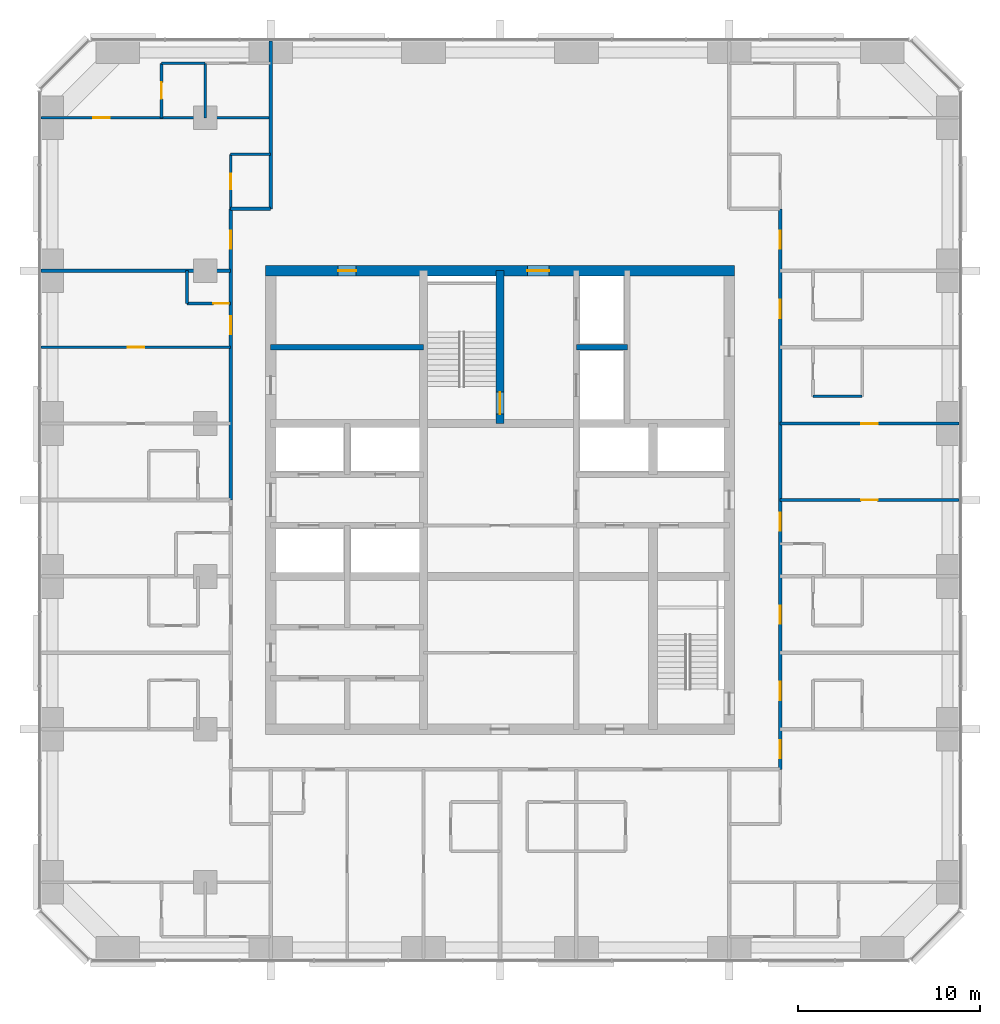
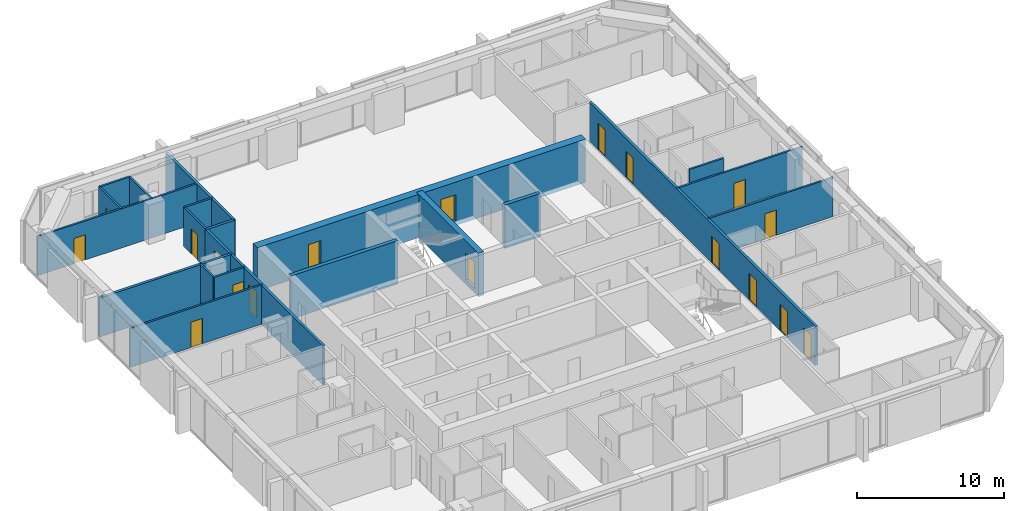
# One storey, part 11 of 13: 21 walls, 18 doors, 18 openings.
"""IFC4 building model written with IfcOpenShell, lengths in metres."""

from ifc_helpers import new_model, si_unit, direction, frame, frame_2d, origin, place, context, subcontext, project, spatial, rectangle, extrude, material, layer, layer_set, type_object, element, fill, save


model = new_model("IFC4")

# Units and contexts
model_context = context("Model", 3, precision=1e-05, world=origin(), true_north=direction((0.0, 1.0)))
body_context = subcontext(model_context, "Body", "Model", "MODEL_VIEW")
ifc_project = project(units=[si_unit("LENGTHUNIT", "METRE"), si_unit("AREAUNIT", "SQUARE_METRE"), si_unit("VOLUMEUNIT", "CUBIC_METRE"), si_unit("PLANEANGLEUNIT", "RADIAN"), si_unit("MASSUNIT", "GRAM", prefix="KILO")], contexts=[model_context])

# Site, building, storey
site_placement = place(None, origin())
site = spatial("IfcSite", under=ifc_project, at=site_placement, CompositionType="ELEMENT")
building_placement = place(site_placement, origin())
building = spatial("IfcBuilding", under=site, at=building_placement, Name="Dunama Terrace Hotel", CompositionType="ELEMENT")
storey_placement = place(building_placement, frame((0.0, 0.0, 209.39990234375)))
storey = spatial("IfcBuildingStorey", under=building, at=storey_placement, Name="L54", CompositionType="ELEMENT", Elevation=209.39990234375)

# Wall
ifc_material_1 = material(Name="Gypsum board partition", Category="masonry")
ifc_layer_1 = layer(ifc_material_1, 0.14990234375)
ifc_layer_set_1 = layer_set([ifc_layer_1], Name="Bathroom partition 150")
wall_type_1 = type_object("IfcWallType", Name="Bathroom partition 150", PredefinedType="PARTITIONING", material=ifc_layer_set_1)
wall_1_placement = place(storey_placement, frame((12.199951171875, 40.199951171875, 0.0), z_axis=(0.0, 0.0, 1.0), x_axis=(0.0, 1.0, 0.0)))
element("IfcWall", 1, at=wall_1_placement, inside=storey, type_object=wall_type_1, Name="Bathroom partition 150 L54", PredefinedType="PARTITIONING", context=body_context, shape_type="SweptSolid", body=[
    extrude(rectangle(XDim=1.800048828125, YDim=0.14990234375, at=frame_2d((0.89990234375, 0.0))), origin(), (0.0, 0.0, 1.0), 3.25),
])

# Wall, opening, door
wall_2_placement = place(storey_placement, frame((14.60009765625, 45.39990234375, 0.0), z_axis=(0.0, 0.0, 1.0), x_axis=(0.0, 1.0, 0.0)))
wall_2 = element("IfcWall", 2, at=wall_2_placement, inside=storey, type_object=wall_type_1, Name="Bathroom partition 150 L54", PredefinedType="PARTITIONING", context=body_context, shape_type="SweptSolid", body=[
    extrude(rectangle(XDim=3.0, YDim=0.14990234375, at=frame_2d((1.5, 0.0))), origin(), (0.0, 0.0, 1.0), 3.25),
])
opening_1_placement = place(wall_2_placement, frame((1.074951171875, 0.0, 0.0)))
opening_1 = element("IfcOpeningElement", 3, at=opening_1_placement, cuts=wall_2, Name="Opening L53-54-056", PredefinedType="OPENING", context=body_context, shape_type="SweptSolid", body=[
    extrude(rectangle(XDim=0.85009765625, YDim=2.10009765625, at=frame_2d((0.425048828125, 1.050048828125))), frame((0.0, 0.0849609375, 0.0), z_axis=(0.0, -1.0, 0.0), x_axis=(1.0, 0.0, 0.0)), (0.0, 0.0, 1.0), 0.169921875),
])
ifc_material_2 = material(Name="Timber door with steel frame", Category="steel")
door_type_1 = type_object("IfcDoorType", Name="Bathroom door 850", OperationType="SINGLE_SWING_LEFT", PredefinedType="DOOR", material=ifc_material_2)
door_1_placement = place(opening_1_placement, frame((0.85009765625, 0.0, 0.0), z_axis=(0.0, 0.0, 1.0), x_axis=(-1.0, 0.0, 0.0)))
door_1 = element("IfcDoor", 4, at=door_1_placement, inside=storey, type_object=door_type_1, Name="Door to powder room L53-54-056, type D2", OperationType="SINGLE_SWING_RIGHT", OverallHeight=2.10009765625, OverallWidth=0.85009765625, PredefinedType="DOOR", context=body_context, shape_type="SweptSolid", body=[
    extrude(rectangle(XDim=0.85009765625, YDim=2.10009765625, at=frame_2d((0.425048828125, 1.050048828125))), frame((0.0, 0.025146484375, 0.0), z_axis=(0.0, -1.0, 0.0), x_axis=(1.0, 0.0, 0.0)), (0.0, 0.0, 1.0), 0.050048828125),
])
fill(opening_1, door_1)

# Wall
wall_3_placement = place(storey_placement, frame((46.60009765625, 35.10009765625, 0.0), z_axis=(0.0, 0.0, 1.0), x_axis=(1.0, 0.0, 0.0)))
element("IfcWall", 5, at=wall_3_placement, inside=storey, type_object=wall_type_1, Name="Bathroom partition 150 L54", PredefinedType="PARTITIONING", context=body_context, shape_type="SweptSolid", body=[
    extrude(rectangle(XDim=2.699951171875, YDim=0.14990234375, at=frame_2d((1.35009765625, 0.0))), origin(), (0.0, 0.0, 1.0), 3.25),
])

# Wall, opening, door
wall_4_placement = place(storey_placement, frame((12.199951171875, 40.199951171875, 0.0), z_axis=(0.0, 0.0, 1.0), x_axis=(1.0, 0.0, 0.0)))
wall_4 = element("IfcWall", 6, at=wall_4_placement, inside=storey, type_object=wall_type_1, Name="Bathroom partition 150 L54", PredefinedType="PARTITIONING", context=body_context, shape_type="SweptSolid", body=[
    extrude(rectangle(XDim=2.400146484375, YDim=0.14990234375, at=frame_2d((1.2001953125, 0.0))), origin(), (0.0, 0.0, 1.0), 3.25),
])
opening_2_placement = place(wall_4_placement, frame((1.449951171875, 0.0, 0.0)))
opening_2 = element("IfcOpeningElement", 7, at=opening_2_placement, cuts=wall_4, Name="Opening L53-54-036", PredefinedType="OPENING", context=body_context, shape_type="SweptSolid", body=[
    extrude(rectangle(XDim=0.85009765625, YDim=2.10009765625, at=frame_2d((0.425048828125, 1.050048828125))), frame((0.0, 0.0849609375, 0.0), z_axis=(0.0, -1.0, 0.0), x_axis=(1.0, 0.0, 0.0)), (0.0, 0.0, 1.0), 0.169921875),
])
door_2_placement = place(opening_2_placement, origin())
door_2 = element("IfcDoor", 8, at=door_2_placement, inside=storey, type_object=door_type_1, Name="Door to powder room L53-54-036, type D2", OperationType="SINGLE_SWING_RIGHT", OverallHeight=2.10009765625, OverallWidth=0.85009765625, PredefinedType="DOOR", context=body_context, shape_type="SweptSolid", body=[
    extrude(rectangle(XDim=0.85009765625, YDim=2.10009765625, at=frame_2d((0.425048828125, 1.050048828125))), frame((0.0, 0.02490234375, 0.0), z_axis=(0.0, -1.0, 0.0), x_axis=(1.0, 0.0, 0.0)), (0.0, 0.0, 1.0), 0.050048828125),
])
fill(opening_2, door_2)

# Walls
wall_5_placement = place(storey_placement, frame((14.60009765625, 48.39990234375, 0.0), z_axis=(0.0, 0.0, 1.0), x_axis=(1.0, 0.0, 0.0)))
element("IfcWall", 9, at=wall_5_placement, inside=storey, type_object=wall_type_1, Name="Bathroom partition 150 L54", PredefinedType="PARTITIONING", context=body_context, shape_type="SweptSolid", body=[
    extrude(rectangle(XDim=2.199951171875, YDim=0.14990234375, at=frame_2d((1.10009765625, 0.0))), origin(), (0.0, 0.0, 1.0), 3.25),
])
ifc_material_3 = material(Name="Concrete C50/60", Category="concrete")
ifc_layer_2 = layer(ifc_material_3, 0.300048828125)
ifc_layer_set_2 = layer_set([ifc_layer_2], Name="Core inner wall 300")
wall_type_2 = type_object("IfcWallType", Name="Core inner wall 300", PredefinedType="SHEAR", material=ifc_layer_set_2)
wall_6_placement = place(storey_placement, frame((16.800048828125, 37.800048828125, -0.349853515625), z_axis=(0.0, 0.0, 1.0), x_axis=(1.0, 0.0, 0.0)))
element("IfcWall", 10, at=wall_6_placement, inside=storey, type_object=wall_type_2, Name="Core inner wall 300 L54", PredefinedType="SHEAR", context=body_context, shape_type="SweptSolid", body=[
    extrude(rectangle(XDim=8.39990234375, YDim=0.300048828125, at=frame_2d((4.199951171875, 0.0))), origin(), (0.0, 0.0, 1.0), 3.599853515625),
])
wall_7_placement = place(storey_placement, frame((33.60009765625, 37.800048828125, -0.349853515625), z_axis=(0.0, 0.0, 1.0), x_axis=(1.0, 0.0, 0.0)))
element("IfcWall", 11, at=wall_7_placement, inside=storey, type_object=wall_type_2, Name="Core inner wall 300 L54", PredefinedType="SHEAR", context=body_context, shape_type="SweptSolid", body=[
    extrude(rectangle(XDim=2.7998046875, YDim=0.300048828125, at=frame_2d((1.39990234375, 0.0))), origin(), (0.0, 0.0, 1.0), 3.599853515625),
])

# Wall, opening, door
ifc_material_4 = material(Name="Concrete C50/60", Category="concrete")
ifc_layer_3 = layer(ifc_material_4, 0.449951171875)
ifc_layer_set_3 = layer_set([ifc_layer_3], Name="Core inner wall 450")
wall_type_3 = type_object("IfcWallType", Name="Core inner wall 450", PredefinedType="SHEAR", material=ifc_layer_set_3)
wall_8_placement = place(storey_placement, frame((29.39990234375, 33.60009765625, -0.349853515625), z_axis=(0.0, 0.0, 1.0), x_axis=(0.0, 1.0, 0.0)))
wall_8 = element("IfcWall", 12, at=wall_8_placement, inside=storey, type_object=wall_type_3, Name="Core inner wall 450 L54", PredefinedType="SHEAR", context=body_context, shape_type="SweptSolid", body=[
    extrude(rectangle(XDim=8.39990234375, YDim=0.449951171875, at=frame_2d((4.199951171875, 0.0))), origin(), (0.0, 0.0, 1.0), 3.599853515625),
])
opening_3_placement = place(wall_8_placement, frame((0.52490234375, 0.0, 0.35009765625)))
opening_3 = element("IfcOpeningElement", 13, at=opening_3_placement, cuts=wall_8, Name="Opening L53-54-001", PredefinedType="OPENING", context=body_context, shape_type="SweptSolid", body=[
    extrude(rectangle(XDim=1.199951171875, YDim=2.199951171875, at=frame_2d((0.60009765625, 1.10009765625))), frame((0.0, 0.23486328125, 0.0), z_axis=(0.0, -1.0, 0.0), x_axis=(1.0, 0.0, 0.0)), (0.0, 0.0, 1.0), 0.469970703125),
])
ifc_material_5 = material(Name="Timber door with steel frame", Category="steel")
door_type_2 = type_object("IfcDoorType", Name="Stair door 1200", OperationType="SINGLE_SWING_LEFT", PredefinedType="DOOR", material=ifc_material_5)
door_3_placement = place(opening_3_placement, origin())
door_3 = element("IfcDoor", 14, at=door_3_placement, inside=storey, type_object=door_type_2, Name="Stair door ST1 L53-54-001, type D5", OperationType="SINGLE_SWING_LEFT", OverallHeight=2.199951171875, OverallWidth=1.199951171875, PredefinedType="DOOR", context=body_context, shape_type="SweptSolid", body=[
    extrude(rectangle(XDim=1.199951171875, YDim=2.199951171875, at=frame_2d((0.60009765625, 1.10009765625))), frame((0.0, 0.02490234375, 0.0), z_axis=(0.0, -1.0, 0.0), x_axis=(1.0, 0.0, 0.0)), (0.0, 0.0, 1.0), 0.050048828125),
])
fill(opening_3, door_3)

# Wall, openings, doors
ifc_material_6 = material(Name="Concrete C50/60", Category="concrete")
ifc_layer_4 = layer(ifc_material_6, 0.60009765625)
ifc_layer_set_4 = layer_set([ifc_layer_4], Name="Core wall 600")
wall_type_4 = type_object("IfcWallType", Name="Core wall 600", PredefinedType="SHEAR", material=ifc_layer_set_4)
wall_9_placement = place(storey_placement, frame((42.300048828125, 42.0, -0.349853515625), z_axis=(0.0, 0.0, 1.0), x_axis=(-1.0, 0.0, 0.0)))
wall_9 = element("IfcWall", 15, at=wall_9_placement, inside=storey, type_object=wall_type_4, Name="Core wall north L54", PredefinedType="SHEAR", context=body_context, shape_type="SweptSolid", body=[
    extrude(rectangle(XDim=25.800048828125, YDim=0.60009765625, at=frame_2d((12.89990234375, 0.0))), origin(), (0.0, 0.0, 1.0), 3.599853515625),
])
opening_4_placement = place(wall_9_placement, frame((20.800048828125, 0.0, 0.35009765625)))
opening_4 = element("IfcOpeningElement", 16, at=opening_4_placement, cuts=wall_9, Name="Opening L53-54-067", PredefinedType="OPENING", context=body_context, shape_type="SweptSolid", body=[
    extrude(rectangle(XDim=1.0, YDim=2.10009765625, at=frame_2d((0.5, 1.050048828125))), frame((0.0, 0.31005859375, 0.0), z_axis=(0.0, -1.0, 0.0), x_axis=(1.0, 0.0, 0.0)), (0.0, 0.0, 1.0), 0.6201171875),
])
opening_5_placement = place(wall_9_placement, frame((10.199951171875, 0.0, 0.35009765625)))
opening_5 = element("IfcOpeningElement", 17, at=opening_5_placement, cuts=wall_9, Name="Opening L53-54-073", PredefinedType="OPENING", context=body_context, shape_type="SweptSolid", body=[
    extrude(rectangle(XDim=1.199951171875, YDim=2.199951171875, at=frame_2d((0.60009765625, 1.10009765625))), frame((0.0, 0.31005859375, 0.0), z_axis=(0.0, -1.0, 0.0), x_axis=(1.0, 0.0, 0.0)), (0.0, 0.0, 1.0), 0.6201171875),
])
ifc_material_7 = material(Name="Timber door with steel frame", Category="steel")
door_type_3 = type_object("IfcDoorType", Name="Firefighting lobby door 1200", OperationType="SINGLE_SWING_LEFT", PredefinedType="DOOR", material=ifc_material_7)
door_4_placement = place(opening_5_placement, origin())
door_4 = element("IfcDoor", 18, at=door_4_placement, inside=storey, type_object=door_type_3, Name="Door to firefighting lobby L53-54-073, type D4", OperationType="SINGLE_SWING_RIGHT", OverallHeight=2.199951171875, OverallWidth=1.199951171875, PredefinedType="DOOR", context=body_context, shape_type="SweptSolid", body=[
    extrude(rectangle(XDim=1.199951171875, YDim=2.199951171875, at=frame_2d((0.60009765625, 1.10009765625))), frame((0.0, 0.02490234375, 0.0), z_axis=(0.0, -1.0, 0.0), x_axis=(1.0, 0.0, 0.0)), (0.0, 0.0, 1.0), 0.050048828125),
])
fill(opening_5, door_4)
ifc_material_8 = material(Name="Timber door with steel frame", Category="steel")
door_type_4 = type_object("IfcDoorType", Name="Service door 1000", OperationType="SINGLE_SWING_LEFT", PredefinedType="DOOR", material=ifc_material_8)
door_5_placement = place(opening_4_placement, origin())
door_5 = element("IfcDoor", 19, at=door_5_placement, inside=storey, type_object=door_type_4, Name="Door to communications and riser room L53-54-067, type D7", OperationType="SINGLE_SWING_LEFT", OverallHeight=2.10009765625, OverallWidth=1.0, PredefinedType="DOOR", context=body_context, shape_type="SweptSolid", body=[
    extrude(rectangle(XDim=1.0, YDim=2.10009765625, at=frame_2d((0.5, 1.050048828125))), frame((0.0, 0.02490234375, 0.0), z_axis=(0.0, -1.0, 0.0), x_axis=(1.0, 0.0, 0.0)), (0.0, 0.0, 1.0), 0.050048828125),
])
fill(opening_4, door_5)

ifc_material_9 = material(Name="Concrete blockwork", Category="masonry")
ifc_layer_5 = layer(ifc_material_9, 0.199951171875)
ifc_layer_set_5 = layer_set([ifc_layer_5], Name="Corridor partition 200")
wall_type_5 = type_object("IfcWallType", Name="Corridor partition 200", PredefinedType="PARTITIONING", material=ifc_layer_set_5)
wall_10_placement = place(storey_placement, frame((14.60009765625, 29.39990234375, 0.0), z_axis=(0.0, 0.0, 1.0), x_axis=(0.0, 1.0, 0.0)))
wall_10 = element("IfcWall", 20, at=wall_10_placement, inside=storey, type_object=wall_type_5, Name="Corridor partition 200 L54", PredefinedType="PARTITIONING", context=body_context, shape_type="SweptSolid", body=[
    extrude(rectangle(XDim=16.0, YDim=0.199951171875, at=frame_2d((8.0, 0.0))), origin(), (0.0, 0.0, 1.0), 3.25),
])
opening_6_placement = place(wall_10_placement, frame((9.10009765625, 0.0, 0.0)))
opening_6 = element("IfcOpeningElement", 21, at=opening_6_placement, cuts=wall_10, Name="Opening L53-54-035", PredefinedType="OPENING", context=body_context, shape_type="SweptSolid", body=[
    extrude(rectangle(XDim=1.0, YDim=2.199951171875, at=frame_2d((0.5, 1.10009765625))), frame((0.0, 0.10986328125, 0.0), z_axis=(0.0, -1.0, 0.0), x_axis=(1.0, 0.0, 0.0)), (0.0, 0.0, 1.0), 0.219970703125),
])
opening_7_placement = place(wall_10_placement, frame((13.800048828125, 0.0, 0.0)))
opening_7 = element("IfcOpeningElement", 22, at=opening_7_placement, cuts=wall_10, Name="Opening L53-54-055", PredefinedType="OPENING", context=body_context, shape_type="SweptSolid", body=[
    extrude(rectangle(XDim=1.0, YDim=2.199951171875, at=frame_2d((0.5, 1.10009765625))), frame((0.0, 0.10986328125, 0.0), z_axis=(0.0, -1.0, 0.0), x_axis=(1.0, 0.0, 0.0)), (0.0, 0.0, 1.0), 0.219970703125),
])
ifc_material_10 = material(Name="Timber door with steel frame", Category="steel")
door_type_5 = type_object("IfcDoorType", Name="Guest room door 1000", OperationType="SINGLE_SWING_LEFT", PredefinedType="DOOR", material=ifc_material_10)
door_6_placement = place(opening_6_placement, origin())
door_6 = element("IfcDoor", 23, at=door_6_placement, inside=storey, type_object=door_type_5, Name="Door to ambassador suite living room L53-54-035, type D1", OperationType="SINGLE_SWING_LEFT", OverallHeight=2.199951171875, OverallWidth=1.0, PredefinedType="DOOR", context=body_context, shape_type="SweptSolid", body=[
    extrude(rectangle(XDim=1.0, YDim=2.199951171875, at=frame_2d((0.5, 1.10009765625))), frame((0.0, 0.02490234375, 0.0), z_axis=(0.0, -1.0, 0.0), x_axis=(1.0, 0.0, 0.0)), (0.0, 0.0, 1.0), 0.050048828125),
])
fill(opening_6, door_6)
door_7_placement = place(opening_7_placement, origin())
door_7 = element("IfcDoor", 24, at=door_7_placement, inside=storey, type_object=door_type_5, Name="Door to corner suite living room L53-54-055, type D1", OperationType="SINGLE_SWING_LEFT", OverallHeight=2.199951171875, OverallWidth=1.0, PredefinedType="DOOR", context=body_context, shape_type="SweptSolid", body=[
    extrude(rectangle(XDim=1.0, YDim=2.199951171875, at=frame_2d((0.5, 1.10009765625))), frame((0.0, 0.02490234375, 0.0), z_axis=(0.0, -1.0, 0.0), x_axis=(1.0, 0.0, 0.0)), (0.0, 0.0, 1.0), 0.050048828125),
])
fill(opening_7, door_7)

# Walls
wall_11_placement = place(storey_placement, frame((16.800048828125, 45.39990234375, 0.0), z_axis=(0.0, 0.0, 1.0), x_axis=(0.0, 1.0, 0.0)))
element("IfcWall", 25, at=wall_11_placement, inside=storey, type_object=wall_type_5, Name="Corridor partition 200 L54", PredefinedType="PARTITIONING", context=body_context, shape_type="SweptSolid", body=[
    extrude(rectangle(XDim=9.218017578125, YDim=0.199951171875, at=frame_2d((4.60888671875, 0.0))), origin(), (0.0, 0.0, 1.0), 3.25),
])
wall_12_placement = place(storey_placement, frame((14.60009765625, 45.39990234375, 0.0), z_axis=(0.0, 0.0, 1.0), x_axis=(1.0, 0.0, 0.0)))
element("IfcWall", 26, at=wall_12_placement, inside=storey, type_object=wall_type_5, Name="Corridor partition 200 L54", PredefinedType="PARTITIONING", context=body_context, shape_type="SweptSolid", body=[
    extrude(rectangle(XDim=2.199951171875, YDim=0.199951171875, at=frame_2d((1.10009765625, 0.0))), origin(), (0.0, 0.0, 1.0), 3.25),
])

# Wall, openings, doors
wall_13_placement = place(storey_placement, frame((44.800048828125, 45.39990234375, 0.0), z_axis=(0.0, 0.0, 1.0), x_axis=(0.0, -1.0, 0.0)))
wall_13 = element("IfcWall", 27, at=wall_13_placement, inside=storey, type_object=wall_type_5, Name="Corridor partition 200 L54", PredefinedType="PARTITIONING", context=body_context, shape_type="SweptSolid", body=[
    extrude(rectangle(XDim=30.7998046875, YDim=0.199951171875, at=frame_2d((15.39990234375, 0.0))), origin(), (0.0, 0.0, 1.0), 3.25),
])
opening_8_placement = place(wall_13_placement, frame((26.0, 0.0, 0.0)))
opening_8 = element("IfcOpeningElement", 28, at=opening_8_placement, cuts=wall_13, Name="Opening L53-54-018", PredefinedType="OPENING", context=body_context, shape_type="SweptSolid", body=[
    extrude(rectangle(XDim=1.0, YDim=2.199951171875, at=frame_2d((0.5, 1.10009765625))), frame((0.0, 0.10986328125, 0.0), z_axis=(0.0, -1.0, 0.0), x_axis=(1.0, 0.0, 0.0)), (0.0, 0.0, 1.0), 0.219970703125),
])
opening_9_placement = place(wall_13_placement, frame((21.800048828125, 0.0, 0.0)))
opening_9 = element("IfcOpeningElement", 29, at=opening_9_placement, cuts=wall_13, Name="Opening L53-54-020", PredefinedType="OPENING", context=body_context, shape_type="SweptSolid", body=[
    extrude(rectangle(XDim=1.0, YDim=2.199951171875, at=frame_2d((0.5, 1.10009765625))), frame((0.0, 0.10986328125, 0.0), z_axis=(0.0, -1.0, 0.0), x_axis=(1.0, 0.0, 0.0)), (0.0, 0.0, 1.0), 0.219970703125),
])
opening_10_placement = place(wall_13_placement, frame((16.699951171875, 0.0, 0.0)))
opening_10 = element("IfcOpeningElement", 30, at=opening_10_placement, cuts=wall_13, Name="Opening L53-54-022", PredefinedType="OPENING", context=body_context, shape_type="SweptSolid", body=[
    extrude(rectangle(XDim=1.0, YDim=2.199951171875, at=frame_2d((0.5, 1.10009765625))), frame((0.0, 0.10986328125, 0.0), z_axis=(0.0, -1.0, 0.0), x_axis=(1.0, 0.0, 0.0)), (0.0, 0.0, 1.0), 0.219970703125),
])
opening_11_placement = place(wall_13_placement, frame((5.0, 0.0, 0.0)))
opening_11 = element("IfcOpeningElement", 31, at=opening_11_placement, cuts=wall_13, Name="Opening L53-54-027", PredefinedType="OPENING", context=body_context, shape_type="SweptSolid", body=[
    extrude(rectangle(XDim=1.0, YDim=2.199951171875, at=frame_2d((0.5, 1.10009765625))), frame((0.0, 0.10986328125, 0.0), z_axis=(0.0, -1.0, 0.0), x_axis=(1.0, 0.0, 0.0)), (0.0, 0.0, 1.0), 0.219970703125),
])
opening_12_placement = place(wall_13_placement, frame((29.199951171875, 0.0, 0.0)))
opening_12 = element("IfcOpeningElement", 32, at=opening_12_placement, cuts=wall_13, Name="Opening L53-54-045", PredefinedType="OPENING", context=body_context, shape_type="SweptSolid", body=[
    extrude(rectangle(XDim=1.0, YDim=2.199951171875, at=frame_2d((0.5, 1.10009765625))), frame((0.0, 0.10986328125, 0.0), z_axis=(0.0, -1.0, 0.0), x_axis=(1.0, 0.0, 0.0)), (0.0, 0.0, 1.0), 0.219970703125),
])
opening_13_placement = place(wall_13_placement, frame((1.199951171875, 0.0, 0.0)))
opening_13 = element("IfcOpeningElement", 33, at=opening_13_placement, cuts=wall_13, Name="Opening L53-54-050", PredefinedType="OPENING", context=body_context, shape_type="SweptSolid", body=[
    extrude(rectangle(XDim=1.0, YDim=2.199951171875, at=frame_2d((0.5, 1.10009765625))), frame((0.0, 0.10986328125, 0.0), z_axis=(0.0, -1.0, 0.0), x_axis=(1.0, 0.0, 0.0)), (0.0, 0.0, 1.0), 0.219970703125),
])
door_8_placement = place(opening_8_placement, origin())
door_8 = element("IfcDoor", 34, at=door_8_placement, inside=storey, type_object=door_type_5, Name="Door to club room L53-54-018, type D1", OperationType="SINGLE_SWING_LEFT", OverallHeight=2.199951171875, OverallWidth=1.0, PredefinedType="DOOR", context=body_context, shape_type="SweptSolid", body=[
    extrude(rectangle(XDim=1.0, YDim=2.199951171875, at=frame_2d((0.5, 1.10009765625))), frame((0.0, 0.02490234375, 0.0), z_axis=(0.0, -1.0, 0.0), x_axis=(1.0, 0.0, 0.0)), (0.0, 0.0, 1.0), 0.050048828125),
])
fill(opening_8, door_8)
door_9_placement = place(opening_9_placement, origin())
door_9 = element("IfcDoor", 35, at=door_9_placement, inside=storey, type_object=door_type_5, Name="Door to club room L53-54-020, type D1", OperationType="SINGLE_SWING_LEFT", OverallHeight=2.199951171875, OverallWidth=1.0, PredefinedType="DOOR", context=body_context, shape_type="SweptSolid", body=[
    extrude(rectangle(XDim=1.0, YDim=2.199951171875, at=frame_2d((0.5, 1.10009765625))), frame((0.0, 0.02490234375, 0.0), z_axis=(0.0, -1.0, 0.0), x_axis=(1.0, 0.0, 0.0)), (0.0, 0.0, 1.0), 0.050048828125),
])
fill(opening_9, door_9)
door_10_placement = place(opening_10_placement, origin())
door_10 = element("IfcDoor", 36, at=door_10_placement, inside=storey, type_object=door_type_5, Name="Door to ambassador suite living room L53-54-022, type D1", OperationType="SINGLE_SWING_LEFT", OverallHeight=2.199951171875, OverallWidth=1.0, PredefinedType="DOOR", context=body_context, shape_type="SweptSolid", body=[
    extrude(rectangle(XDim=1.0, YDim=2.199951171875, at=frame_2d((0.5, 1.10009765625))), frame((0.0, 0.02490234375, 0.0), z_axis=(0.0, -1.0, 0.0), x_axis=(1.0, 0.0, 0.0)), (0.0, 0.0, 1.0), 0.050048828125),
])
fill(opening_10, door_10)
door_11_placement = place(opening_11_placement, origin())
door_11 = element("IfcDoor", 37, at=door_11_placement, inside=storey, type_object=door_type_5, Name="Door to club room L53-54-027, type D1", OperationType="SINGLE_SWING_LEFT", OverallHeight=2.199951171875, OverallWidth=1.0, PredefinedType="DOOR", context=body_context, shape_type="SweptSolid", body=[
    extrude(rectangle(XDim=1.0, YDim=2.199951171875, at=frame_2d((0.5, 1.10009765625))), frame((0.0, 0.02490234375, 0.0), z_axis=(0.0, -1.0, 0.0), x_axis=(1.0, 0.0, 0.0)), (0.0, 0.0, 1.0), 0.050048828125),
])
fill(opening_11, door_11)
door_12_placement = place(opening_12_placement, origin())
door_12 = element("IfcDoor", 38, at=door_12_placement, inside=storey, type_object=door_type_5, Name="Door to corner suite living room L53-54-045, type D1", OperationType="SINGLE_SWING_LEFT", OverallHeight=2.199951171875, OverallWidth=1.0, PredefinedType="DOOR", context=body_context, shape_type="SweptSolid", body=[
    extrude(rectangle(XDim=1.0, YDim=2.199951171875, at=frame_2d((0.5, 1.10009765625))), frame((0.0, 0.02490234375, 0.0), z_axis=(0.0, -1.0, 0.0), x_axis=(1.0, 0.0, 0.0)), (0.0, 0.0, 1.0), 0.050048828125),
])
fill(opening_12, door_12)
door_13_placement = place(opening_13_placement, origin())
door_13 = element("IfcDoor", 39, at=door_13_placement, inside=storey, type_object=door_type_5, Name="Door to corner suite living room L53-54-050, type D1", OperationType="SINGLE_SWING_RIGHT", OverallHeight=2.199951171875, OverallWidth=1.0, PredefinedType="DOOR", context=body_context, shape_type="SweptSolid", body=[
    extrude(rectangle(XDim=1.0, YDim=2.199951171875, at=frame_2d((0.5, 1.10009765625))), frame((0.0, 0.02490234375, 0.0), z_axis=(0.0, -1.0, 0.0), x_axis=(1.0, 0.0, 0.0)), (0.0, 0.0, 1.0), 0.050048828125),
])
fill(opening_13, door_13)

# Wall
ifc_material_11 = material(Name="Concrete blockwork", Category="masonry")
ifc_layer_6 = layer(ifc_material_11, 0.199951171875)
ifc_layer_set_6 = layer_set([ifc_layer_6], Name="Party wall 200")
wall_type_6 = type_object("IfcWallType", Name="Party wall 200", PredefinedType="PARTITIONING", material=ifc_layer_set_6)
wall_14_placement = place(storey_placement, frame((4.181884765625, 42.0, 0.0), z_axis=(0.0, 0.0, 1.0), x_axis=(1.0, 0.0, 0.0)))
element("IfcWall", 40, at=wall_14_placement, inside=storey, type_object=wall_type_6, Name="Party wall 200 L54", PredefinedType="PARTITIONING", context=body_context, shape_type="SweptSolid", body=[
    extrude(rectangle(XDim=10.418212890625, YDim=0.199951171875, at=frame_2d((5.208984375, 0.0))), origin(), (0.0, 0.0, 1.0), 3.25),
])

# Wall, opening, door
ifc_material_12 = material(Name="Gypsum board partition", Category="masonry")
ifc_layer_7 = layer(ifc_material_12, 0.14990234375)
ifc_layer_set_7 = layer_set([ifc_layer_7], Name="Room partition 150")
wall_type_7 = type_object("IfcWallType", Name="Room partition 150", PredefinedType="PARTITIONING", material=ifc_layer_set_7)
wall_15_placement = place(storey_placement, frame((10.800048828125, 50.39990234375, 0.0), z_axis=(0.0, 0.0, 1.0), x_axis=(0.0, 1.0, 0.0)))
wall_15 = element("IfcWall", 41, at=wall_15_placement, inside=storey, type_object=wall_type_7, Name="Room partition 150 L54", PredefinedType="PARTITIONING", context=body_context, shape_type="SweptSolid", body=[
    extrude(rectangle(XDim=3.0, YDim=0.14990234375, at=frame_2d((1.5, 0.0))), origin(), (0.0, 0.0, 1.0), 3.25),
])
opening_14_placement = place(wall_15_placement, frame((1.050048828125, 0.0, 0.0)))
opening_14 = element("IfcOpeningElement", 42, at=opening_14_placement, cuts=wall_15, Name="Opening L53-54-059", PredefinedType="OPENING", context=body_context, shape_type="SweptSolid", body=[
    extrude(rectangle(XDim=0.89990234375, YDim=2.10009765625, at=frame_2d((0.449951171875, 1.050048828125))), frame((0.0, 0.0849609375, 0.0), z_axis=(0.0, -1.0, 0.0), x_axis=(1.0, 0.0, 0.0)), (0.0, 0.0, 1.0), 0.169921875),
])
ifc_material_13 = material(Name="Timber door with steel frame", Category="steel")
door_type_6 = type_object("IfcDoorType", Name="Suite internal door 900", OperationType="SINGLE_SWING_LEFT", PredefinedType="DOOR", material=ifc_material_13)
door_14_placement = place(opening_14_placement, frame((0.89990234375, 0.0, 0.0), z_axis=(0.0, 0.0, 1.0), x_axis=(-1.0, 0.0, 0.0)))
door_14 = element("IfcDoor", 43, at=door_14_placement, inside=storey, type_object=door_type_6, Name="Door to dressing room L53-54-059, type D16", OperationType="SINGLE_SWING_RIGHT", OverallHeight=2.10009765625, OverallWidth=0.89990234375, PredefinedType="DOOR", context=body_context, shape_type="SweptSolid", body=[
    extrude(rectangle(XDim=0.89990234375, YDim=2.10009765625, at=frame_2d((0.449951171875, 1.050048828125))), frame((0.0, 0.025146484375, 0.0), z_axis=(0.0, -1.0, 0.0), x_axis=(1.0, 0.0, 0.0)), (0.0, 0.0, 1.0), 0.050048828125),
])
fill(opening_14, door_14)

# Wall
wall_16_placement = place(storey_placement, frame((13.199951171875, 50.39990234375, 0.0), z_axis=(0.0, 0.0, 1.0), x_axis=(0.0, 1.0, 0.0)))
element("IfcWall", 44, at=wall_16_placement, inside=storey, type_object=wall_type_7, Name="Room partition 150 L54", PredefinedType="PARTITIONING", context=body_context, shape_type="SweptSolid", body=[
    extrude(rectangle(XDim=3.0, YDim=0.14990234375, at=frame_2d((1.5, 0.0))), origin(), (0.0, 0.0, 1.0), 3.25),
])

# Wall, opening, door
wall_17_placement = place(storey_placement, frame((44.800048828125, 29.39990234375, 0.0), z_axis=(0.0, 0.0, 1.0), x_axis=(1.0, 0.0, 0.0)))
wall_17 = element("IfcWall", 45, at=wall_17_placement, inside=storey, type_object=wall_type_7, Name="Room partition 150 L54", PredefinedType="PARTITIONING", context=body_context, shape_type="SweptSolid", body=[
    extrude(rectangle(XDim=9.81787109375, YDim=0.14990234375, at=frame_2d((4.908935546875, 0.0))), origin(), (0.0, 0.0, 1.0), 3.25),
])
opening_15_placement = place(wall_17_placement, frame((4.449951171875, 0.0, 0.0)))
opening_15 = element("IfcOpeningElement", 46, at=opening_15_placement, cuts=wall_17, Name="Opening L53-54-024", PredefinedType="OPENING", context=body_context, shape_type="SweptSolid", body=[
    extrude(rectangle(XDim=0.89990234375, YDim=2.10009765625, at=frame_2d((0.449951171875, 1.050048828125))), frame((0.0, 0.0849609375, 0.0), z_axis=(0.0, -1.0, 0.0), x_axis=(1.0, 0.0, 0.0)), (0.0, 0.0, 1.0), 0.169921875),
])
door_15_placement = place(opening_15_placement, frame((0.89990234375, 0.0, 0.0), z_axis=(0.0, 0.0, 1.0), x_axis=(-1.0, 0.0, 0.0)))
door_15 = element("IfcDoor", 47, at=door_15_placement, inside=storey, type_object=door_type_6, Name="Door to ambassador suite study L53-54-024, type D16", OperationType="SINGLE_SWING_RIGHT", OverallHeight=2.10009765625, OverallWidth=0.89990234375, PredefinedType="DOOR", context=body_context, shape_type="SweptSolid", body=[
    extrude(rectangle(XDim=0.89990234375, YDim=2.10009765625, at=frame_2d((0.449951171875, 1.050048828125))), frame((0.0, 0.025146484375, 0.0), z_axis=(0.0, -1.0, 0.0), x_axis=(1.0, 0.0, 0.0)), (0.0, 0.0, 1.0), 0.050048828125),
])
fill(opening_15, door_15)

wall_18_placement = place(storey_placement, frame((44.800048828125, 33.60009765625, 0.0), z_axis=(0.0, 0.0, 1.0), x_axis=(1.0, 0.0, 0.0)))
wall_18 = element("IfcWall", 48, at=wall_18_placement, inside=storey, type_object=wall_type_7, Name="Room partition 150 L54", PredefinedType="PARTITIONING", context=body_context, shape_type="SweptSolid", body=[
    extrude(rectangle(XDim=9.81787109375, YDim=0.14990234375, at=frame_2d((4.908935546875, 0.0))), origin(), (0.0, 0.0, 1.0), 3.25),
])
opening_16_placement = place(wall_18_placement, frame((4.449951171875, 0.0, 0.0)))
opening_16 = element("IfcOpeningElement", 49, at=opening_16_placement, cuts=wall_18, Name="Opening L53-54-025", PredefinedType="OPENING", context=body_context, shape_type="SweptSolid", body=[
    extrude(rectangle(XDim=0.89990234375, YDim=2.10009765625, at=frame_2d((0.449951171875, 1.050048828125))), frame((0.0, 0.0849609375, 0.0), z_axis=(0.0, -1.0, 0.0), x_axis=(1.0, 0.0, 0.0)), (0.0, 0.0, 1.0), 0.169921875),
])
door_16_placement = place(opening_16_placement, origin())
door_16 = element("IfcDoor", 50, at=door_16_placement, inside=storey, type_object=door_type_6, Name="Door to ambassador suite bedroom L53-54-025, type D16", OperationType="SINGLE_SWING_LEFT", OverallHeight=2.10009765625, OverallWidth=0.89990234375, PredefinedType="DOOR", context=body_context, shape_type="SweptSolid", body=[
    extrude(rectangle(XDim=0.89990234375, YDim=2.10009765625, at=frame_2d((0.449951171875, 1.050048828125))), frame((0.0, 0.02490234375, 0.0), z_axis=(0.0, -1.0, 0.0), x_axis=(1.0, 0.0, 0.0)), (0.0, 0.0, 1.0), 0.050048828125),
])
fill(opening_16, door_16)

wall_19_placement = place(storey_placement, frame((4.181884765625, 37.800048828125, 0.0), z_axis=(0.0, 0.0, 1.0), x_axis=(1.0, 0.0, 0.0)))
wall_19 = element("IfcWall", 51, at=wall_19_placement, inside=storey, type_object=wall_type_7, Name="Room partition 150 L54", PredefinedType="PARTITIONING", context=body_context, shape_type="SweptSolid", body=[
    extrude(rectangle(XDim=10.418212890625, YDim=0.14990234375, at=frame_2d((5.208984375, 0.0))), origin(), (0.0, 0.0, 1.0), 3.25),
])
opening_17_placement = place(wall_19_placement, frame((4.76806640625, 0.0, 0.0)))
opening_17 = element("IfcOpeningElement", 52, at=opening_17_placement, cuts=wall_19, Name="Opening L53-54-037", PredefinedType="OPENING", context=body_context, shape_type="SweptSolid", body=[
    extrude(rectangle(XDim=0.89990234375, YDim=2.10009765625, at=frame_2d((0.449951171875, 1.050048828125))), frame((0.0, 0.0849609375, 0.0), z_axis=(0.0, -1.0, 0.0), x_axis=(1.0, 0.0, 0.0)), (0.0, 0.0, 1.0), 0.169921875),
])
door_17_placement = place(opening_17_placement, origin())
door_17 = element("IfcDoor", 53, at=door_17_placement, inside=storey, type_object=door_type_6, Name="Door to ambassador suite study L53-54-037, type D16", OperationType="SINGLE_SWING_RIGHT", OverallHeight=2.10009765625, OverallWidth=0.89990234375, PredefinedType="DOOR", context=body_context, shape_type="SweptSolid", body=[
    extrude(rectangle(XDim=0.89990234375, YDim=2.10009765625, at=frame_2d((0.449951171875, 1.050048828125))), frame((0.0, 0.02490234375, 0.0), z_axis=(0.0, -1.0, 0.0), x_axis=(1.0, 0.0, 0.0)), (0.0, 0.0, 1.0), 0.050048828125),
])
fill(opening_17, door_17)

wall_20_placement = place(storey_placement, frame((4.181884765625, 50.39990234375, 0.0), z_axis=(0.0, 0.0, 1.0), x_axis=(1.0, 0.0, 0.0)))
wall_20 = element("IfcWall", 54, at=wall_20_placement, inside=storey, type_object=wall_type_7, Name="Room partition 150 L54", PredefinedType="PARTITIONING", context=body_context, shape_type="SweptSolid", body=[
    extrude(rectangle(XDim=12.6181640625, YDim=0.14990234375, at=frame_2d((6.30908203125, 0.0))), origin(), (0.0, 0.0, 1.0), 3.25),
])
opening_18_placement = place(wall_20_placement, frame((2.867919921875, 0.0, 0.0)))
opening_18 = element("IfcOpeningElement", 55, at=opening_18_placement, cuts=wall_20, Name="Opening L53-54-057", PredefinedType="OPENING", context=body_context, shape_type="SweptSolid", body=[
    extrude(rectangle(XDim=0.89990234375, YDim=2.10009765625, at=frame_2d((0.449951171875, 1.050048828125))), frame((0.0, 0.0849609375, 0.0), z_axis=(0.0, -1.0, 0.0), x_axis=(1.0, 0.0, 0.0)), (0.0, 0.0, 1.0), 0.169921875),
])
door_18_placement = place(opening_18_placement, origin())
door_18 = element("IfcDoor", 56, at=door_18_placement, inside=storey, type_object=door_type_6, Name="Door to corner suite bedroom L53-54-057, type D16", OperationType="SINGLE_SWING_LEFT", OverallHeight=2.10009765625, OverallWidth=0.89990234375, PredefinedType="DOOR", context=body_context, shape_type="SweptSolid", body=[
    extrude(rectangle(XDim=0.89990234375, YDim=2.10009765625, at=frame_2d((0.449951171875, 1.050048828125))), frame((0.0, 0.02490234375, 0.0), z_axis=(0.0, -1.0, 0.0), x_axis=(1.0, 0.0, 0.0)), (0.0, 0.0, 1.0), 0.050048828125),
])
fill(opening_18, door_18)

# Wall
wall_21_placement = place(storey_placement, frame((10.800048828125, 53.39990234375, 0.0), z_axis=(0.0, 0.0, 1.0), x_axis=(1.0, 0.0, 0.0)))
element("IfcWall", 57, at=wall_21_placement, inside=storey, type_object=wall_type_7, Name="Room partition 150 L54", PredefinedType="PARTITIONING", context=body_context, shape_type="SweptSolid", body=[
    extrude(rectangle(XDim=2.39990234375, YDim=0.14990234375, at=frame_2d((1.199951171875, 0.0))), origin(), (0.0, 0.0, 1.0), 3.25),
])

save(model, "model.ifc")
